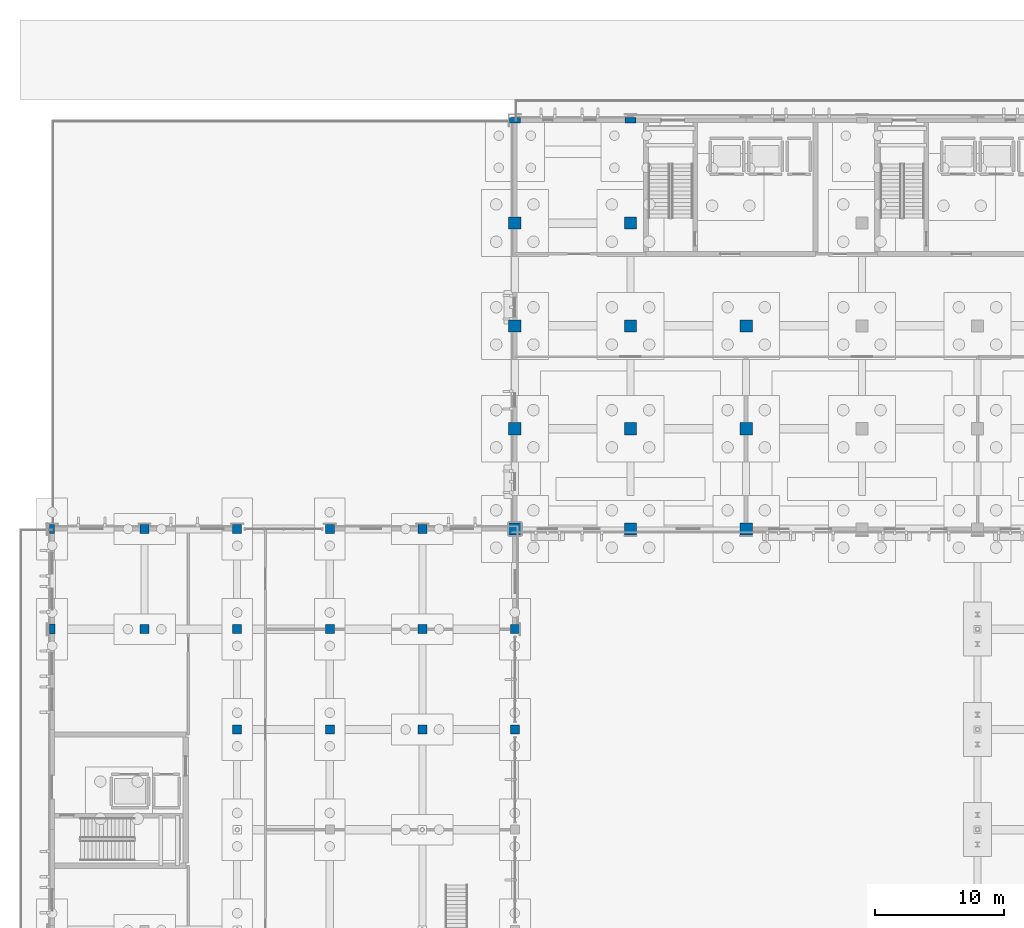
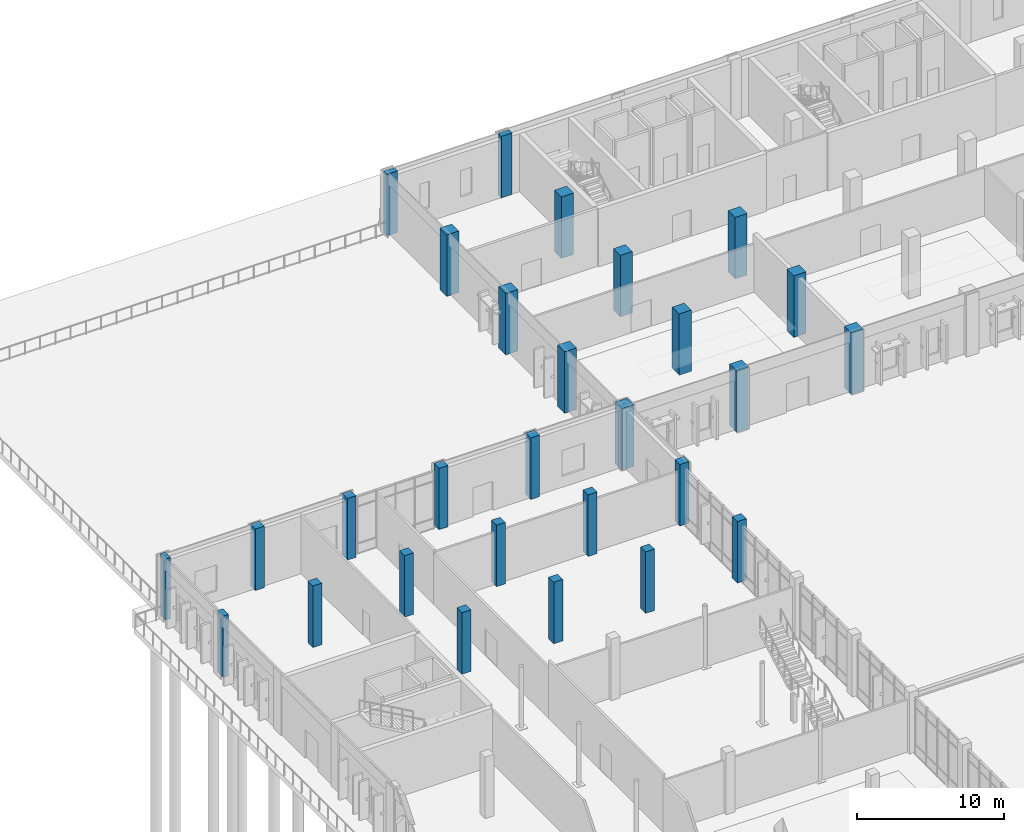
# One storey, part 25 of 94: 28 columns.
"""IFC4 building model written with IfcOpenShell, lengths in metres."""

from ifc_helpers import new_model, si_unit, direction, frame, origin, origin_2d, place, context, subcontext, project, spatial, rectangle, extrude, material, material_profile, profile_set, type_object, element, save


model = new_model("IFC4")

# Units and contexts
model_context = context("Model", 3, precision=1e-05, world=origin(), true_north=direction((0.0, 1.0)))
body_context = subcontext(model_context, "Body", "Model", "MODEL_VIEW")
ifc_project = project(units=[si_unit("LENGTHUNIT", "METRE"), si_unit("AREAUNIT", "SQUARE_METRE"), si_unit("VOLUMEUNIT", "CUBIC_METRE"), si_unit("PLANEANGLEUNIT", "RADIAN"), si_unit("MASSUNIT", "GRAM", prefix="KILO")], contexts=[model_context])

# Site, building, storey
site_placement = place(None, origin())
site = spatial("IfcSite", under=ifc_project, at=site_placement, CompositionType="ELEMENT")
building_placement = place(site_placement, origin())
building = spatial("IfcBuilding", under=site, at=building_placement, Name="Vervanel Yard Central Library", CompositionType="ELEMENT")
storey_placement = place(building_placement, origin())
storey = spatial("IfcBuildingStorey", under=building, at=storey_placement, Name="L00", CompositionType="ELEMENT", Elevation=0.0)

# Columns
ifc_material_1 = material(Name="Concrete C40/50", Category="concrete")
ifc_material_profile_1 = material_profile(ifc_material_1, rectangle(XDim=0.699951171875, YDim=0.699951171875, at=origin_2d()), Name="RC 700x700", Category="concrete")
ifc_profile_set_1 = profile_set([ifc_material_profile_1], Name="Concrete C40/50")
column_type_1 = type_object("IfcColumnType", Name="Concrete Column 700x700", PredefinedType="COLUMN", material=ifc_profile_set_1)
for number, where, z_axis, x_axis, name in (
    (1, (7.199951171875, 74.39990234375, 0.0), (0.0, 0.0, 1.0), (1.0, 0.0, 0.0), "L00 Concrete Column 700x700 (7.2, 74.4)"),
    (2, (7.199951171875, 82.199951171875, 0.0), (0.0, 0.0, 1.0), (1.0, 0.0, 0.0), "L00 Concrete Column 700x700 (7.2, 82.2)"),
    (3, (14.39990234375, 66.60009765625, 0.0), (0.0, 0.0, 1.0), (1.0, 0.0, 0.0), "L00 Concrete Column 700x700 (14.4, 66.6)"),
    (4, (14.39990234375, 74.39990234375, 0.0), (0.0, 0.0, 1.0), (1.0, 0.0, 0.0), "L00 Concrete Column 700x700 (14.4, 74.4)"),
    (5, (14.39990234375, 82.199951171875, 0.0), (0.0, 0.0, 1.0), (1.0, 0.0, 0.0), "L00 Concrete Column 700x700 (14.4, 82.2)"),
    (6, (21.60009765625, 66.60009765625, 0.0), (0.0, 0.0, 1.0), (1.0, 0.0, 0.0), "L00 Concrete Column 700x700 (21.6, 66.6)"),
    (7, (21.60009765625, 74.39990234375, 0.0), (0.0, 0.0, 1.0), (1.0, 0.0, 0.0), "L00 Concrete Column 700x700 (21.6, 74.4)"),
    (8, (21.60009765625, 82.199951171875, 0.0), (0.0, 0.0, 1.0), (1.0, 0.0, 0.0), "L00 Concrete Column 700x700 (21.6, 82.2)"),
    (9, (28.800048828125, 66.60009765625, 0.0), (0.0, 0.0, 1.0), (1.0, 0.0, 0.0), "L00 Concrete Column 700x700 (28.8, 66.6)"),
    (10, (28.800048828125, 74.39990234375, 0.0), (0.0, 0.0, 1.0), (1.0, 0.0, 0.0), "L00 Concrete Column 700x700 (28.8, 74.4)"),
    (11, (28.800048828125, 82.199951171875, 0.0), (0.0, 0.0, 1.0), (1.0, 0.0, 0.0), "L00 Concrete Column 700x700 (28.8, 82.2)"),
    (12, (36.0, 66.60009765625, 0.0), (0.0, 0.0, 1.0), (1.0, 0.0, 0.0), "L00 Concrete Column 700x700 (36.0, 66.6)"),
    (13, (36.0, 74.39990234375, 0.0), (0.0, 0.0, 1.0), (1.0, 0.0, 0.0), "L00 Concrete Column 700x700 (36.0, 74.4)"),
):
    element("IfcColumn", number, at=place(storey_placement, frame(where, z_axis=z_axis, x_axis=x_axis)), inside=storey, type_object=column_type_1, Name=name, PredefinedType="COLUMN", context=body_context, shape_type="SweptSolid", body=[
        extrude(rectangle(XDim=0.699951171875, YDim=0.699951171875, at=origin_2d()), origin(), (0.0, 0.0, 1.0), 5.10009765625),
    ])
ifc_material_2 = material(Name="Concrete C45/55", Category="concrete")
ifc_material_profile_2 = material_profile(ifc_material_2, rectangle(XDim=0.949951171875, YDim=0.949951171875, at=origin_2d()), Name="RC 950x950", Category="concrete")
ifc_profile_set_2 = profile_set([ifc_material_profile_2], Name="Concrete C45/55")
column_type_2 = type_object("IfcColumnType", Name="Concrete Column 950x950", PredefinedType="COLUMN", material=ifc_profile_set_2)
for number, where, z_axis, x_axis, name in (
    (14, (36.0, 82.199951171875, 0.0), (0.0, 0.0, 1.0), (1.0, 0.0, 0.0), "L00 Concrete Column 950x950 (36.0, 82.2)"),
    (15, (36.0, 90.0, 0.0), (0.0, 0.0, 1.0), (1.0, 0.0, 0.0), "L00 Concrete Column 950x950 (36.0, 90.0)"),
    (16, (36.0, 98.0, 0.0), (0.0, 0.0, 1.0), (1.0, 0.0, 0.0), "L00 Concrete Column 950x950 (36.0, 98.0)"),
    (17, (36.0, 106.0, 0.0), (0.0, 0.0, 1.0), (1.0, 0.0, 0.0), "L00 Concrete Column 950x950 (36.0, 106.0)"),
    (18, (45.0, 82.199951171875, 0.0), (0.0, 0.0, 1.0), (1.0, 0.0, 0.0), "L00 Concrete Column 950x950 (45.0, 82.2)"),
    (19, (45.0, 90.0, 0.0), (0.0, 0.0, 1.0), (1.0, 0.0, 0.0), "L00 Concrete Column 950x950 (45.0, 90.0)"),
    (20, (45.0, 98.0, 0.0), (0.0, 0.0, 1.0), (1.0, 0.0, 0.0), "L00 Concrete Column 950x950 (45.0, 98.0)"),
    (21, (45.0, 106.0, 0.0), (0.0, 0.0, 1.0), (1.0, 0.0, 0.0), "L00 Concrete Column 950x950 (45.0, 106.0)"),
    (22, (54.0, 82.199951171875, 0.0), (0.0, 0.0, 1.0), (1.0, 0.0, 0.0), "L00 Concrete Column 950x950 (54.0, 82.2)"),
    (23, (54.0, 90.0, 0.0), (0.0, 0.0, 1.0), (1.0, 0.0, 0.0), "L00 Concrete Column 950x950 (54.0, 90.0)"),
    (24, (54.0, 98.0, 0.0), (0.0, 0.0, 1.0), (1.0, 0.0, 0.0), "L00 Concrete Column 950x950 (54.0, 98.0)"),
):
    element("IfcColumn", number, at=place(storey_placement, frame(where, z_axis=z_axis, x_axis=x_axis)), inside=storey, type_object=column_type_2, Name=name, PredefinedType="COLUMN", context=body_context, shape_type="SweptSolid", body=[
        extrude(rectangle(XDim=0.949951171875, YDim=0.949951171875, at=origin_2d()), origin(), (0.0, 0.0, 1.0), 5.10009765625),
    ])
ifc_material_profile_3 = material_profile(ifc_material_1, rectangle(XDim=0.3798828125, YDim=0.719970703125, at=origin_2d()), Name="RC 380x720", Category="concrete")
ifc_profile_set_3 = profile_set([ifc_material_profile_3], Name="Concrete C40/50")
column_type_3 = type_object("IfcColumnType", Name="Perimeter Pilaster 380x720", PredefinedType="PILASTER", material=ifc_profile_set_3)
column_1_placement = place(storey_placement, frame((0.0, 82.199951171875, 0.0), z_axis=(0.0, 0.0, 1.0), x_axis=(1.0, 0.0, 0.0)))
element("IfcColumn", 25, at=column_1_placement, inside=storey, type_object=column_type_3, Name="L00 Perimeter Pilaster 380x720 (0.0, 82.2)", PredefinedType="PILASTER", context=body_context, shape_type="SweptSolid", body=[
    extrude(rectangle(XDim=0.3798828125, YDim=0.719970703125, at=origin_2d()), origin(), (0.0, 0.0, 1.0), 5.10009765625),
])
ifc_material_profile_4 = material_profile(ifc_material_1, rectangle(XDim=0.419921875, YDim=0.780029296875, at=origin_2d()), Name="RC 420x780", Category="concrete")
ifc_profile_set_4 = profile_set([ifc_material_profile_4], Name="Concrete C40/50")
column_type_4 = type_object("IfcColumnType", Name="Perimeter Pilaster 420x780", PredefinedType="PILASTER", material=ifc_profile_set_4)
column_2_placement = place(storey_placement, frame((0.0, 74.39990234375, 0.0), z_axis=(0.0, 0.0, 1.0), x_axis=(1.0, 0.0, 0.0)))
element("IfcColumn", 26, at=column_2_placement, inside=storey, type_object=column_type_4, Name="L00 Perimeter Pilaster 420x780 (0.0, 74.4)", PredefinedType="PILASTER", context=body_context, shape_type="SweptSolid", body=[
    extrude(rectangle(XDim=0.419921875, YDim=0.780029296875, at=origin_2d()), origin(), (0.0, 0.0, 1.0), 5.10009765625),
])
ifc_material_profile_5 = material_profile(ifc_material_2, rectangle(XDim=0.449951171875, YDim=0.85009765625, at=origin_2d()), Name="RC 450x850", Category="concrete")
ifc_profile_set_5 = profile_set([ifc_material_profile_5], Name="Concrete C45/55")
column_type_5 = type_object("IfcColumnType", Name="Stack Spine Column 450x850", PredefinedType="COLUMN", material=ifc_profile_set_5)
for number, where, z_axis, x_axis, name in (
    (27, (36.0, 114.0, 0.0), (0.0, 0.0, 1.0), (0.0, 1.0, 0.0), "L00 Stack Spine Column 450x850 (36.0, 114.0)"),
    (28, (45.0, 114.0, 0.0), (0.0, 0.0, 1.0), (0.0, 1.0, 0.0), "L00 Stack Spine Column 450x850 (45.0, 114.0)"),
):
    element("IfcColumn", number, at=place(storey_placement, frame(where, z_axis=z_axis, x_axis=x_axis)), inside=storey, type_object=column_type_5, Name=name, PredefinedType="COLUMN", context=body_context, shape_type="SweptSolid", body=[
        extrude(rectangle(XDim=0.449951171875, YDim=0.85009765625, at=origin_2d()), origin(), (0.0, 0.0, 1.0), 5.10009765625),
    ])

save(model, "model.ifc")
